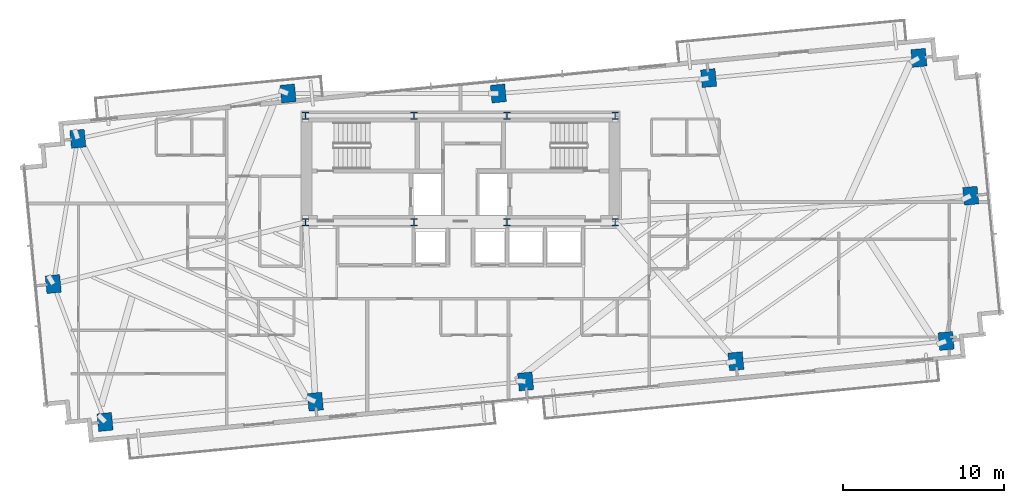
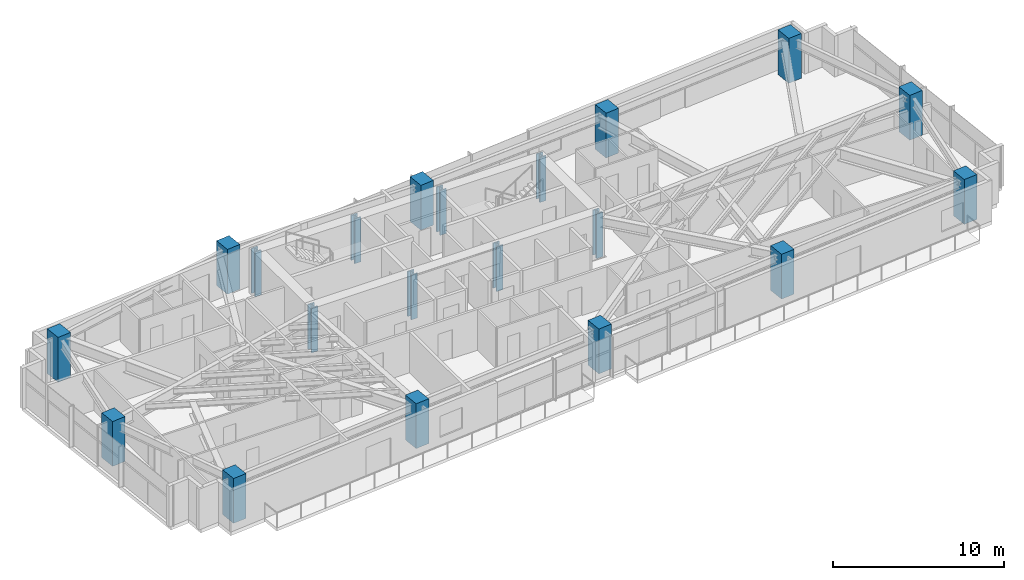
# One storey, part 1 of 27: 20 columns.
"""IFC4 building model written with IfcOpenShell, lengths in metres."""

from ifc_helpers import new_model, si_unit, direction, frame, origin, origin_2d, place, context, subcontext, project, spatial, rectangle, i_section, extrude, source, transform, mapped, material, material_profile, profile_set, type_object, type_shapes, element, save


model = new_model("IFC4")

# Units and contexts
model_context = context("Model", 3, precision=1e-05, world=origin(), true_north=direction((0.0, 1.0)))
body_context = subcontext(model_context, "Body", "Model", "MODEL_VIEW")
ifc_project = project(units=[si_unit("LENGTHUNIT", "METRE"), si_unit("AREAUNIT", "SQUARE_METRE"), si_unit("VOLUMEUNIT", "CUBIC_METRE"), si_unit("PLANEANGLEUNIT", "RADIAN"), si_unit("MASSUNIT", "GRAM", prefix="KILO")], contexts=[model_context])

# Site, building, storey
site_placement = place(None, origin())
site = spatial("IfcSite", under=ifc_project, at=site_placement, CompositionType="ELEMENT")
building_placement = place(site_placement, origin())
building = spatial("IfcBuilding", under=site, at=building_placement, Name="Astriad Promenade Condominiums", CompositionType="ELEMENT")
storey_placement = place(building_placement, frame((0.0, 0.0, 116.199951171875)))
storey = spatial("IfcBuildingStorey", under=building, at=storey_placement, Name="L33", CompositionType="ELEMENT", Elevation=116.199951171875)

# Columns
ifc_material_1 = material(Name="Steel ASTM A992 Grade 50", Category="steel")
ifc_material_profile_1 = material_profile(ifc_material_1, i_section(OverallWidth=0.427490234375, OverallDepth=0.483154296875, WebThickness=0.05126953125, FlangeThickness=0.08154296875, FilletRadius=0.017822265625, at=origin_2d()), Name="W14X455")
ifc_profile_set_1 = profile_set([ifc_material_profile_1], Name="Steel ASTM A992 Grade 50")
column_type_1 = type_object("IfcColumnType", Name="STEEL CORE PILASTER W14X455", PredefinedType="PILASTER", material=ifc_profile_set_1)
shared_shape_1 = source(origin(), body_context, "Body", "SweptSolid", [
    extrude(i_section(OverallWidth=0.427490234375, OverallDepth=0.483154296875, WebThickness=0.05126953125, FlangeThickness=0.08154296875, FilletRadius=0.017822265625, at=origin_2d()), origin(), (0.0, 0.0, 1.0), 3.196044921875),
])
type_shapes(column_type_1, [shared_shape_1])
for number, where, z_axis, x_axis, name in (
    (1, (26.39990234375, 17.39990234375, 0.001953125), (0.0, 0.0, 1.0), (1.0, 0.0, 0.0), "Core Pilaster Column CP1 (L33)"),
    (2, (33.1201171875, 17.39990234375, 0.001953125), (0.0, 0.0, 1.0), (1.0, 0.0, 0.0), "Core Pilaster Column CP2 (L33)"),
    (3, (38.8798828125, 17.39990234375, 0.001953125), (0.0, 0.0, 1.0), (1.0, 0.0, 0.0), "Core Pilaster Column CP3 (L33)"),
    (4, (45.60009765625, 17.39990234375, 0.001953125), (0.0, 0.0, 1.0), (1.0, 0.0, 0.0), "Core Pilaster Column CP4 (L33)"),
    (5, (26.39990234375, 24.0, 0.001953125), (0.0, 0.0, 1.0), (1.0, 0.0, 0.0), "Core Pilaster Column CP5 (L33)"),
    (6, (33.1201171875, 24.0, 0.001953125), (0.0, 0.0, 1.0), (1.0, 0.0, 0.0), "Core Pilaster Column CP6 (L33)"),
    (7, (38.8798828125, 24.0, 0.001953125), (0.0, 0.0, 1.0), (1.0, 0.0, 0.0), "Core Pilaster Column CP7 (L33)"),
    (8, (45.60009765625, 24.0, 0.001953125), (0.0, 0.0, 1.0), (1.0, 0.0, 0.0), "Core Pilaster Column CP8 (L33)"),
):
    element("IfcColumn", number, at=place(storey_placement, frame(where, z_axis=z_axis, x_axis=x_axis)), inside=storey, type_object=column_type_1, Name=name, PredefinedType="PILASTER", context=body_context, shape_type="MappedRepresentation", body=[
        mapped(shared_shape_1, transform((0.0, 0.0, 0.0), scale=1.0)),
    ])
ifc_material_2 = material(Name="Concrete C60/75", Category="concrete")
ifc_material_profile_2 = material_profile(ifc_material_2, rectangle(XDim=0.89990234375, YDim=1.10009765625, at=origin_2d()), Name="RC-COL-1100X900")
ifc_profile_set_2 = profile_set([ifc_material_profile_2], Name="Concrete C60/75")
column_type_2 = type_object("IfcColumnType", Name="CONCRETE TOWER COLUMN 1100X900", PredefinedType="COLUMN", material=ifc_profile_set_2)
shared_shape_2 = source(origin(), body_context, "Body", "SweptSolid", [
    extrude(rectangle(XDim=0.89990234375, YDim=1.10009765625, at=origin_2d()), origin(), (0.0, 0.0, 1.0), 3.194091796875),
])
type_shapes(column_type_2, [shared_shape_2])
for number, where, z_axis, x_axis, name in (
    (9, (13.966064453125, 5.009521484375, 0.001953125), (0.0, 0.0, 1.0), (0.995396198367, 0.09584575252, 0.0), "Perimeter Column PC01 (L33)"),
    (10, (27.005615234375, 6.264892578125, 0.001953125), (0.0, 0.0, 1.0), (0.995396198367, 0.09584575252, 0.0), "Perimeter Column PC02 (L33)"),
    (11, (40.04541015625, 7.5205078125, 0.001953125), (0.0, 0.0, 1.0), (0.995396198367, 0.09584575252, 0.0), "Perimeter Column PC03 (L33)"),
    (12, (53.0849609375, 8.776123046875, 0.001953125), (0.0, 0.0, 1.0), (0.995396198367, 0.09584575252, 0.0), "Perimeter Column PC04 (L33)"),
    (13, (66.124755859375, 10.03173828125, 0.001953125), (0.0, 0.0, 1.0), (0.995396198367, 0.09584575252, 0.0), "Perimeter Column PC05 (L33)"),
    (14, (12.275390625, 22.568115234375, 0.001953125), (0.0, 0.0, 1.0), (0.995396198367, 0.09584575252, 0.0), "Perimeter Column PC06 (L33)"),
    (15, (25.31494140625, 25.3798828125, 0.001953125), (0.0, 0.0, 1.0), (0.995396198367, 0.09584575252, 0.0), "Perimeter Column PC07 (L33)"),
    (16, (38.3544921875, 25.3798828125, 0.001953125), (0.0, 0.0, 1.0), (0.995396198367, 0.09584575252, 0.0), "Perimeter Column PC08 (L33)"),
    (17, (51.394287109375, 26.3349609375, 0.001953125), (0.0, 0.0, 1.0), (0.995396198367, 0.09584575252, 0.0), "Perimeter Column PC09 (L33)"),
    (18, (64.43408203125, 27.590576171875, 0.001953125), (0.0, 0.0, 1.0), (0.995396198367, 0.09584575252, 0.0), "Perimeter Column PC10 (L33)"),
    (19, (10.751708984375, 13.560791015625, 0.001953125), (0.0, 0.0, 1.0), (0.995396198367, 0.09584575252, 0.0), "Perimeter Column PC11 (L33)"),
    (20, (67.6484375, 19.039306640625, 0.001953125), (0.0, 0.0, 1.0), (0.995396198367, 0.09584575252, 0.0), "Perimeter Column PC12 (L33)"),
):
    element("IfcColumn", number, at=place(storey_placement, frame(where, z_axis=z_axis, x_axis=x_axis)), inside=storey, type_object=column_type_2, Name=name, PredefinedType="COLUMN", context=body_context, shape_type="MappedRepresentation", body=[
        mapped(shared_shape_2, transform((0.0, 0.0, 0.0), scale=1.0)),
    ])

save(model, "model.ifc")
